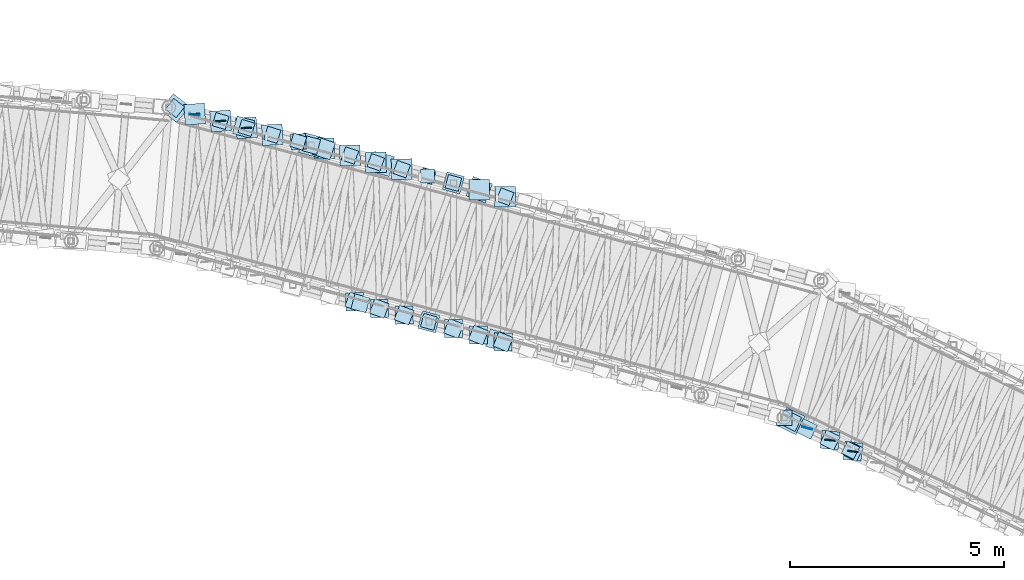
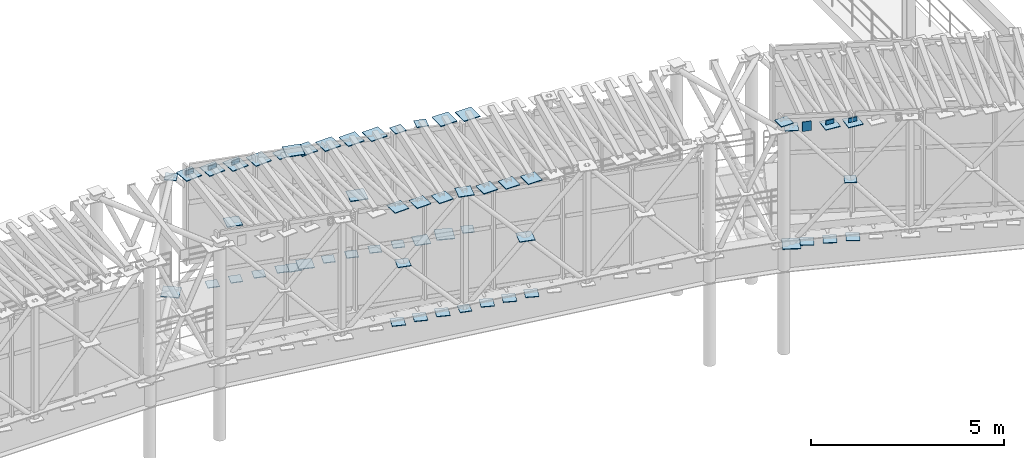
# One storey, part 99 of 144: 63 plates.
"""IFC4 building model written with IfcOpenShell, lengths in metres."""

from ifc_helpers import new_model, si_unit, direction, frame, origin, origin_2d, place, context, subcontext, project, spatial, rectangle, extrude, material, layer, layer_set, type_object, element, save


model = new_model("IFC4")

# Units and contexts
model_context = context("Model", 3, precision=1e-05, world=origin(), true_north=direction((0.0, 1.0)))
body_context = subcontext(model_context, "Body", "Model", "MODEL_VIEW")
ifc_project = project(units=[si_unit("LENGTHUNIT", "METRE"), si_unit("AREAUNIT", "SQUARE_METRE"), si_unit("VOLUMEUNIT", "CUBIC_METRE"), si_unit("PLANEANGLEUNIT", "RADIAN"), si_unit("MASSUNIT", "GRAM", prefix="KILO")], contexts=[model_context])

# Site, building, storey
site_placement = place(None, origin())
site = spatial("IfcSite", under=ifc_project, at=site_placement, CompositionType="ELEMENT")
building_placement = place(site_placement, origin())
building = spatial("IfcBuilding", under=site, at=building_placement, Name="Cinderbank Siding Concert Hall", CompositionType="ELEMENT")
storey_placement = place(building_placement, frame((0.0, 0.0, 5.39990234375)))
storey = spatial("IfcBuildingStorey", under=building, at=storey_placement, Name="L02", CompositionType="ELEMENT", Elevation=5.39990234375)

# Plates
ifc_material = material(Name="Structural steel welded plate section AS/NZS 3679.2 / AS/NZS 3678 Grade 350 (340 MPa)", Category="steel")
ifc_layer_1 = layer(ifc_material, 0.02490234375)
ifc_layer_set_1 = layer_set([ifc_layer_1], Name="Structural steel welded plate section AS/NZS 3679.2 / AS/NZS 3678 Grade 350 (340 MPa)")
plate_type_1 = type_object("IfcPlateType", Name="GP-01 Steel Gusset Cap Plate 480x480x25", PredefinedType="SHEET", material=ifc_layer_set_1)
for number, where, z_axis, x_axis, name in (
    (1, (95.005615234375, 101.071044921875, 2.467529296875), (0.0, 0.0, 1.0), (0.616486340532, 0.78736560246, 0.0), "L02 Steel Node Gusset Plate GP-01 #428"),
    (2, (98.17919921875, 100.207763671875, 6.357666015625), (0.0, 0.0, 1.0), (0.966376079321, -0.257132793155, 0.0), "L02 Steel Node Gusset Plate GP-01 #432"),
    (3, (99.8271484375, 99.769287109375, 4.638427734375), (0.0, 0.0, 1.0), (0.966376079321, -0.257132793155, 0.0), "L02 Steel Node Gusset Plate GP-01 #436"),
    (4, (95.466064453125, 100.9296875, 6.13134765625), (0.0, 0.0, 1.0), (0.076370986393, -0.997079471475, 0.0), "L02 Steel Node Gusset Plate GP-01 #460"),
    (5, (96.06884765625, 100.769287109375, 6.175048828125), (0.0, 0.0, 1.0), (0.069060025714, -0.997612506361, 0.0), "L02 Steel Node Gusset Plate GP-01 #464"),
    (6, (96.671875, 100.60888671875, 6.218505859375), (0.0, 0.0, 1.0), (0.061745354146, -0.998091935265, 0.0), "L02 Steel Node Gusset Plate GP-01 #468"),
    (7, (97.27490234375, 100.448486328125, 6.26220703125), (0.0, 0.0, 1.0), (0.054253089686, -0.998527216584, 0.0), "L02 Steel Node Gusset Plate GP-01 #472"),
    (8, (98.480712890625, 100.12744140625, 6.349365234375), (0.0, 0.0, 1.0), (0.039434213527, -0.999222168891, 0.0), "L02 Steel Node Gusset Plate GP-01 #476"),
    (9, (99.083740234375, 99.967041015625, 6.39306640625), (0.0, 0.0, 1.0), (0.03193409516, -0.999489976721, 0.0), "L02 Steel Node Gusset Plate GP-01 #480"),
    (10, (99.6865234375, 99.806640625, 6.436767578125), (0.0, 0.0, 1.0), (0.024432178153, -0.999701489781, 0.0), "L02 Steel Node Gusset Plate GP-01 #484"),
    (11, (100.28955078125, 99.646240234375, 6.480224609375), (0.0, 0.0, 1.0), (0.01692888504, -0.999856696158, 0.0), "L02 Steel Node Gusset Plate GP-01 #488"),
    (12, (102.098388671875, 99.1650390625, 2.97119140625), (0.0, 0.0, 1.0), (0.356411878713, 0.934328942457, 0.0), "L02 Steel Node Gusset Plate GP-01 #492"),
    (13, (102.098388671875, 99.1650390625, 6.611328125), (0.0, 0.0, 1.0), (-0.005759554688, -0.999983413627, 0.0), "L02 Steel Node Gusset Plate GP-01 #496"),
    (14, (102.701416015625, 99.004638671875, 6.655029296875), (0.0, 0.0, 1.0), (-0.013438630712, -0.999909697525, 0.0), "L02 Steel Node Gusset Plate GP-01 #500"),
    (15, (109.376708984375, 93.772216796875, 3.3916015625), (0.0, 0.0, 1.0), (0.897797101061, -0.440409315668, 0.0), "L02 Steel Node Gusset Plate GP-01 #552"),
):
    element("IfcPlate", number, at=place(storey_placement, frame(where, z_axis=z_axis, x_axis=x_axis)), inside=storey, type_object=plate_type_1, Name=name, PredefinedType="SHEET", context=body_context, shape_type="SweptSolid", body=[
        extrude(rectangle(XDim=0.47998046875, YDim=0.47998046875, at=origin_2d()), origin(), (0.0, 0.0, 1.0), 0.02490234375),
    ])
ifc_layer_2 = layer(ifc_material, 0.02197265625)
ifc_layer_set_2 = layer_set([ifc_layer_2], Name="Structural steel welded plate section AS/NZS 3679.2 / AS/NZS 3678 Grade 350 (340 MPa)")
plate_type_2 = type_object("IfcPlateType", Name="GP-02 Steel Gusset Cap Plate 420x420x22", PredefinedType="SHEET", material=ifc_layer_set_2)
for number, where, z_axis, x_axis, name in (
    (16, (96.60302734375, 100.627197265625, 4.40673828125), (0.0, 0.0, 1.0), (0.966376079321, -0.257132793155, 0.0), "L02 Steel Node Gusset Plate GP-02 #433"),
    (17, (101.49560546875, 99.325439453125, 2.899169921875), (0.0, 0.0, 1.0), (0.966376079321, -0.257132793155, 0.0), "L02 Steel Node Gusset Plate GP-02 #437"),
    (18, (100.924560546875, 96.087890625, 6.59912109375), (0.0, 0.0, 1.0), (0.965427149561, -0.260673011437, 0.0), "L02 Steel Node Gusset Plate GP-02 #449"),
    (19, (102.501953125, 95.662109375, 4.880126953125), (0.0, 0.0, 1.0), (0.965427149561, -0.260673011437, 0.0), "L02 Steel Node Gusset Plate GP-02 #453"),
    (20, (98.480712890625, 100.12744140625, 2.7109375), (0.0, 0.0, 1.0), (0.312003296688, 0.950081019101, 0.0), "L02 Steel Node Gusset Plate GP-02 #473"),
    (21, (99.19287109375, 96.555419921875, 6.438232421875), (0.0, 0.0, 1.0), (0.03193409516, -0.999489976721, 0.0), "L02 Steel Node Gusset Plate GP-02 #481"),
    (22, (99.77001953125, 96.399658203125, 6.481689453125), (0.0, 0.0, 1.0), (0.024432178153, -0.999701489781, 0.0), "L02 Steel Node Gusset Plate GP-02 #485"),
    (23, (100.347412109375, 96.243896484375, 6.525390625), (0.0, 0.0, 1.0), (0.01692888504, -0.999856696158, 0.0), "L02 Steel Node Gusset Plate GP-02 #489"),
    (24, (101.501708984375, 95.93212890625, 6.61279296875), (0.0, 0.0, 1.0), (0.001919860998, -0.999998157065, 0.0), "L02 Steel Node Gusset Plate GP-02 #493"),
    (25, (102.0791015625, 95.7763671875, 6.656494140625), (0.0, 0.0, 1.0), (-0.005759554688, -0.999983413627, 0.0), "L02 Steel Node Gusset Plate GP-02 #497"),
    (26, (102.65625, 95.62060546875, 6.699951171875), (0.0, 0.0, 1.0), (-0.013438630712, -0.999909697525, 0.0), "L02 Steel Node Gusset Plate GP-02 #501"),
    (27, (110.277099609375, 93.33056640625, 7.136474609375), (0.0, 0.0, 1.0), (-0.099840745983, -0.995003429864, 0.0), "L02 Steel Node Gusset Plate GP-02 #569"),
    (28, (110.812744140625, 93.067626953125, 7.179931640625), (0.0, 0.0, 1.0), (-0.107825841986, -0.994169798274, 0.0), "L02 Steel Node Gusset Plate GP-02 #573"),
):
    element("IfcPlate", number, at=place(storey_placement, frame(where, z_axis=z_axis, x_axis=x_axis)), inside=storey, type_object=plate_type_2, Name=name, PredefinedType="SHEET", context=body_context, shape_type="SweptSolid", body=[
        extrude(rectangle(XDim=0.419921875, YDim=0.419921875, at=origin_2d()), origin(), (0.0, 0.0, 1.0), 0.02197265625),
    ])
ifc_layer_3 = layer(ifc_material, 0.02001953125)
ifc_layer_set_3 = layer_set([ifc_layer_3], Name="Structural steel welded plate section AS/NZS 3679.2 / AS/NZS 3678 Grade 350 (340 MPa)")
plate_type_3 = type_object("IfcPlateType", Name="GP-03 Steel Gusset Cap Plate 360x360x20", PredefinedType="SHEET", material=ifc_layer_set_3)
for number, where, z_axis, x_axis, name in (
    (29, (109.2060546875, 93.85595703125, 7.27001953125), (0.0, 0.0, 1.0), (1.0, 0.0, 0.0), "L02 Column End Cap Plate GP-03 COL-BRR-08-L02"),
    (30, (98.17919921875, 100.207763671875, 2.66015625), (0.0, 0.0, 1.0), (0.966376079321, -0.257132793155, 0.0), "L02 Steel Node Gusset Plate GP-03 #434"),
    (31, (99.3271484375, 96.519287109375, 4.640869140625), (0.0, 0.0, 1.0), (0.965427149561, -0.260673011437, 0.0), "L02 Steel Node Gusset Plate GP-03 #450"),
    (32, (97.877685546875, 100.2880859375, 6.308349609375), (0.0, 0.0, 1.0), (0.046932110821, -0.998898081375, 0.0), "L02 Steel Node Gusset Plate GP-03 #474"),
    (33, (99.19287109375, 96.555419921875, 2.799072265625), (0.0, 0.0, 1.0), (0.334464865741, 0.942408220245, 0.0), "L02 Steel Node Gusset Plate GP-03 #482"),
    (34, (99.77001953125, 96.399658203125, 2.8427734375), (0.0, 0.0, 1.0), (0.341856130815, 0.939752300249, 0.0), "L02 Steel Node Gusset Plate GP-03 #486"),
    (35, (100.347412109375, 96.243896484375, 2.886474609375), (0.0, 0.0, 1.0), (0.349226308593, 0.937038411905, 0.0), "L02 Steel Node Gusset Plate GP-03 #490"),
    (36, (101.501708984375, 95.93212890625, 2.9736328125), (0.0, 0.0, 1.0), (0.363739013043, 0.931500901981, 0.0), "L02 Steel Node Gusset Plate GP-03 #494"),
    (37, (102.0791015625, 95.7763671875, 3.017333984375), (0.0, 0.0, 1.0), (0.370881630624, 0.928680147341, 0.0), "L02 Steel Node Gusset Plate GP-03 #498"),
    (38, (102.65625, 95.62060546875, 3.06103515625), (0.0, 0.0, 1.0), (0.378163953596, 0.92573863709, 0.0), "L02 Steel Node Gusset Plate GP-03 #502"),
    (39, (109.376708984375, 93.772216796875, 7.093994140625), (0.0, 0.0, 1.0), (0.897797101061, -0.440409315668, 0.0), "L02 Steel Node Gusset Plate GP-03 #554"),
    (40, (109.74169921875, 93.59326171875, 3.45361328125), (0.0, 0.0, 1.0), (0.444947814477, 0.895556498716, 0.0), "L02 Steel Node Gusset Plate GP-03 #566"),
    (41, (110.277099609375, 93.33056640625, 3.497314453125), (0.0, 0.0, 1.0), (0.452901591366, 0.891560513111, 0.0), "L02 Steel Node Gusset Plate GP-03 #570"),
    (42, (110.812744140625, 93.067626953125, 3.541015625), (0.0, 0.0, 1.0), (0.460664580728, 0.887574303404, 0.0), "L02 Steel Node Gusset Plate GP-03 #574"),
):
    element("IfcPlate", number, at=place(storey_placement, frame(where, z_axis=z_axis, x_axis=x_axis)), inside=storey, type_object=plate_type_3, Name=name, PredefinedType="SHEET", context=body_context, shape_type="SweptSolid", body=[
        extrude(rectangle(XDim=0.360107421875, YDim=0.360107421875, at=origin_2d()), origin(), (0.0, 0.0, 1.0), 0.02001953125),
    ])
ifc_layer_4 = layer(ifc_material, 0.02099609375)
ifc_layer_set_4 = layer_set([ifc_layer_4], Name="Structural steel welded plate section AS/NZS 3679.2 / AS/NZS 3678 Grade 350 (340 MPa)")
plate_type_4 = type_object("IfcPlateType", Name="GP-04 Steel Gusset Cap Plate 320x320x21", PredefinedType="SHEET", material=ifc_layer_set_4)
for number, where, z_axis, x_axis, name in (
    (43, (95.005615234375, 101.071044921875, 6.11962890625), (0.0, 0.0, 1.0), (0.616486340532, 0.78736560246, 0.0), "L02 Steel Node Gusset Plate GP-04 #431"),
    (44, (101.49560546875, 99.325439453125, 6.599609375), (0.0, 0.0, 1.0), (0.966376079321, -0.257132793155, 0.0), "L02 Steel Node Gusset Plate GP-04 #435"),
    (45, (100.924560546875, 96.087890625, 2.899658203125), (0.0, 0.0, 1.0), (0.965427149561, -0.260673011437, 0.0), "L02 Steel Node Gusset Plate GP-04 #451"),
    (46, (96.06884765625, 100.769287109375, 2.536865234375), (0.0, 0.0, 1.0), (0.281671660596, 0.959510852267, 0.0), "L02 Steel Node Gusset Plate GP-04 #459"),
    (47, (96.671875, 100.60888671875, 2.58056640625), (0.0, 0.0, 1.0), (0.289365946873, 0.957218548081, 0.0), "L02 Steel Node Gusset Plate GP-04 #463"),
    (48, (97.27490234375, 100.448486328125, 2.6240234375), (0.0, 0.0, 1.0), (0.296874921752, 0.954916373739, 0.0), "L02 Steel Node Gusset Plate GP-04 #467"),
    (49, (97.877685546875, 100.2880859375, 2.667724609375), (0.0, 0.0, 1.0), (0.304531831612, 0.952502159334, 0.0), "L02 Steel Node Gusset Plate GP-04 #471"),
    (50, (99.083740234375, 99.967041015625, 2.755126953125), (0.0, 0.0, 1.0), (0.319455515932, 0.947601273395, 0.0), "L02 Steel Node Gusset Plate GP-04 #475"),
    (51, (99.6865234375, 99.806640625, 2.798583984375), (0.0, 0.0, 1.0), (0.327052969298, 0.945006008062, 0.0), "L02 Steel Node Gusset Plate GP-04 #479"),
    (52, (100.28955078125, 99.646240234375, 2.84228515625), (0.0, 0.0, 1.0), (0.334464865741, 0.942408220245, 0.0), "L02 Steel Node Gusset Plate GP-04 #483"),
    (53, (100.892578125, 99.48583984375, 2.885986328125), (0.0, 0.0, 1.0), (0.341856130815, 0.939752300249, 0.0), "L02 Steel Node Gusset Plate GP-04 #487"),
    (54, (100.892578125, 99.48583984375, 6.52587890625), (0.0, 0.0, 1.0), (0.009424638433, -0.999955587109, 0.0), "L02 Steel Node Gusset Plate GP-04 #491"),
    (55, (102.701416015625, 99.004638671875, 3.016845703125), (0.0, 0.0, 1.0), (0.363739013043, 0.931500901981, 0.0), "L02 Steel Node Gusset Plate GP-04 #495"),
    (56, (110.755126953125, 93.095947265625, 5.367919921875), (0.0, 0.0, 1.0), (0.897797101061, -0.440409315668, 0.0), "L02 Steel Node Gusset Plate GP-04 #555"),
):
    element("IfcPlate", number, at=place(storey_placement, frame(where, z_axis=z_axis, x_axis=x_axis)), inside=storey, type_object=plate_type_4, Name=name, PredefinedType="SHEET", context=body_context, shape_type="SweptSolid", body=[
        extrude(rectangle(XDim=0.320068359375, YDim=0.320068359375, at=origin_2d()), origin(), (0.0, 0.0, 1.0), 0.02099609375),
    ])
plate_type_5 = type_object("IfcPlateType", Name="GP-09 Steel Gusset Cap Plate 20x220x280", PredefinedType="SHEET", material=ifc_material)
plate_1_placement = place(storey_placement, frame((95.464599609375, 100.914794921875, 5.99365234375), z_axis=(0.0, 0.0, 1.0), x_axis=(0.095150811579, 0.995462868748, 0.0)))
element("IfcPlate", 57, at=plate_1_placement, inside=storey, type_object=plate_type_5, Name="L02 Bridge Purlin End Cap Plate GP-09 #43", PredefinedType="SHEET", context=body_context, shape_type="SweptSolid", body=[
    extrude(rectangle(XDim=0.02001953125, YDim=0.239990234375, at=origin_2d()), origin(), (0.0, 0.0, 1.0), 0.300048828125),
])
for number, where, z_axis, x_axis, name in (
    (58, (95.466064453125, 100.9296875, 6.00390625), (0.0, 0.0, 1.0), (0.076370986393, -0.997079471475, 0.0), "L02 Bridge Roof Brace Cap Plate GP-09 #44"),
    (59, (96.06884765625, 100.769287109375, 6.04736328125), (0.0, 0.0, 1.0), (0.069060025714, -0.997612506361, 0.0), "L02 Bridge Roof Brace Cap Plate GP-09 #46"),
    (60, (96.671875, 100.60888671875, 6.0908203125), (0.0, 0.0, 1.0), (0.061745354146, -0.998091935265, 0.0), "L02 Bridge Roof Brace Cap Plate GP-09 #48"),
):
    element("IfcPlate", number, at=place(storey_placement, frame(where, z_axis=z_axis, x_axis=x_axis)), inside=storey, type_object=plate_type_5, Name=name, PredefinedType="SHEET", context=body_context, shape_type="SweptSolid", body=[
        extrude(rectangle(XDim=0.02392578125, YDim=0.239990234375, at=origin_2d()), origin(), (0.0, 0.0, 1.0), 0.280029296875),
    ])
plate_2_placement = place(storey_placement, frame((109.74560546875, 93.607666015625, 6.95361328125), z_axis=(0.0, 0.0, 1.0), x_axis=(0.267070186767, 0.963677080427, 0.0)))
element("IfcPlate", 61, at=plate_2_placement, inside=storey, type_object=plate_type_5, Name="L02 Bridge Purlin End Cap Plate GP-09 #54", PredefinedType="SHEET", context=body_context, shape_type="SweptSolid", body=[
    extrude(rectangle(XDim=0.02001953125, YDim=0.239990234375, at=origin_2d()), origin(), (0.0, 0.0, 1.0), 0.300048828125),
])
for number, where, z_axis, x_axis, name in (
    (62, (110.277099609375, 93.33056640625, 7.00732421875), (0.0, 0.0, 1.0), (-0.099840745983, -0.995003429864, 0.0), "L02 Bridge Roof Brace Cap Plate GP-09 #57"),
    (63, (110.812744140625, 93.067626953125, 7.05078125), (0.0, 0.0, 1.0), (-0.107825841986, -0.994169798274, 0.0), "L02 Bridge Roof Brace Cap Plate GP-09 #59"),
):
    element("IfcPlate", number, at=place(storey_placement, frame(where, z_axis=z_axis, x_axis=x_axis)), inside=storey, type_object=plate_type_5, Name=name, PredefinedType="SHEET", context=body_context, shape_type="SweptSolid", body=[
        extrude(rectangle(XDim=0.02392578125, YDim=0.239990234375, at=origin_2d()), origin(), (0.0, 0.0, 1.0), 0.280029296875),
    ])

save(model, "model.ifc")
